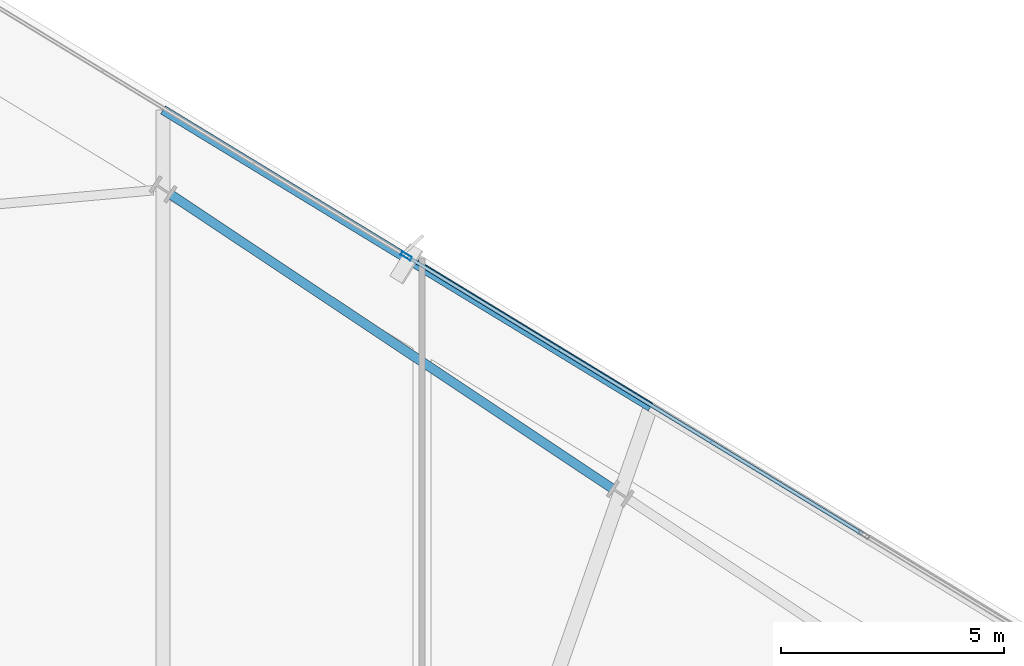
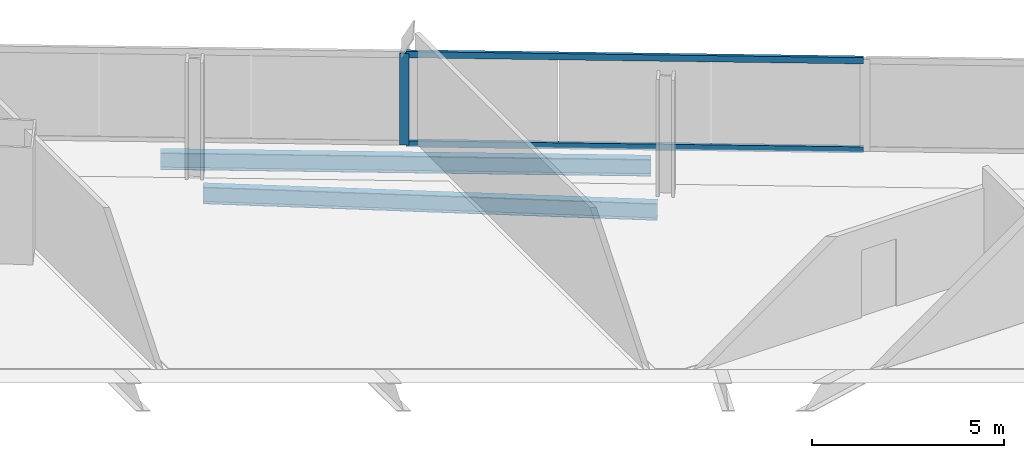
# One storey, part 19 of 28: 3 members, 2 beams, 1 element without a shape of its own.
"""IFC4 building model written with IfcOpenShell, lengths in metres."""

from ifc_helpers import new_model, si_unit, direction, frame, origin, origin_2d, place, context, subcontext, project, spatial, hollow_rectangle, i_section, extrude, material, material_profile, profile_set, type_object, element, aggregate, save


model = new_model("IFC4")

# Units and contexts
model_context = context("Model", 3, precision=1e-05, world=origin(), true_north=direction((0.0, 1.0)))
body_context = subcontext(model_context, "Body", "Model", "MODEL_VIEW")
ifc_project = project(units=[si_unit("LENGTHUNIT", "METRE"), si_unit("AREAUNIT", "SQUARE_METRE"), si_unit("VOLUMEUNIT", "CUBIC_METRE"), si_unit("PLANEANGLEUNIT", "RADIAN"), si_unit("MASSUNIT", "GRAM", prefix="KILO")], contexts=[model_context])

# Site, building, storey
site_placement = place(None, origin())
site = spatial("IfcSite", under=ifc_project, at=site_placement, CompositionType="ELEMENT")
building_placement = place(site_placement, origin())
building = spatial("IfcBuilding", under=site, at=building_placement, Name="Haldenkirk Collegiate Tower", CompositionType="ELEMENT")
storey_placement = place(building_placement, frame((0.0, 0.0, 224.699951171875)))
storey = spatial("IfcBuildingStorey", under=building, at=storey_placement, Name="L56", CompositionType="ELEMENT", Elevation=224.699951171875)

# Beams
ifc_material_1 = material(Name="Steel ASTM A992 Grade 50", Category="steel")
ifc_material_profile_1 = material_profile(ifc_material_1, i_section(OverallWidth=0.2099609375, OverallDepth=0.537109375, WebThickness=0.010986328125, FlangeThickness=0.017333984375, at=origin_2d()), Name="W21X68")
ifc_profile_set_1 = profile_set([ifc_material_profile_1], Name="Steel ASTM A992 Grade 50")
beam_type = type_object("IfcBeamType", Name="BM-SPANDREL-W21X68", PredefinedType="SPANDREL", material=ifc_profile_set_1)
beam_1_placement = place(storey_placement, frame((48.266845703125, 43.96240234375, -0.54833984375), z_axis=(-0.832429330124, 0.554131221237, 0.0), x_axis=(-0.554131221237, -0.832429330124, 0.0)))
element("IfcBeam", 1, at=beam_1_placement, inside=storey, type_object=beam_type, Name="L56 perimeter spandrel beam 07", PredefinedType="SPANDREL", context=body_context, shape_type="SweptSolid", body=[
    extrude(i_section(OverallWidth=0.2099609375, OverallDepth=0.537109375, WebThickness=0.010986328125, FlangeThickness=0.017333984375, at=origin_2d()), origin(), (0.0, 0.0, 1.0), 11.88525390625),
])
beam_2_placement = place(storey_placement, frame((49.129150390625, 45.788330078125, -0.54833984375), z_axis=(-0.854004855572, 0.520265035016, 0.0), x_axis=(-0.520265035016, -0.854004855572, 0.0)))
element("IfcBeam", 2, at=beam_2_placement, inside=storey, type_object=beam_type, Name="L56 outer facade edge beam 2B", PredefinedType="SPANDREL", context=body_context, shape_type="SweptSolid", body=[
    extrude(i_section(OverallWidth=0.2099609375, OverallDepth=0.537109375, WebThickness=0.010986328125, FlangeThickness=0.017333984375, at=origin_2d()), origin(), (0.0, 0.0, 1.0), 12.80615234375),
])

# Curtain wall, members
ifc_material_2 = material(Name="Anodised architectural bronze aluminium", Category="aluminium")
curtain_wall_type = type_object("IfcCurtainWallType", Name="CW-SYS1B-CONVEX-HI", PredefinedType="USERDEFINED", material=ifc_material_2)
curtain_wall_placement = place(storey_placement, origin())
curtain_wall = element("IfcCurtainWall", 3, at=curtain_wall_placement, inside=storey, type_object=curtain_wall_type, Name="L56 Upper tower high-wind convex bronze unitised curtain wall", ObjectType="UNITISED CURTAIN WALL", PredefinedType="USERDEFINED")
ifc_material_profile_2 = material_profile(ifc_material_2, hollow_rectangle(XDim=0.0849609375, YDim=0.25, WallThickness=0.0048828125, at=origin_2d()), Name="CW-MUL-1B")
ifc_profile_set_2 = profile_set([ifc_material_profile_2], Name="Anodised architectural bronze aluminium")
member_type_1 = type_object("IfcMemberType", Name="CW-MUL-1B", PredefinedType="MULLION", material=ifc_profile_set_2)
member_1_placement = place(storey_placement, frame((43.6484375, 49.17431640625, 0.0), z_axis=(0.0, 0.0, 1.0), x_axis=(0.520264898994, 0.854004938437, 0.0)))
member_1 = element("IfcMember", 4, at=member_1_placement, type_object=member_type_1, Name="CW-1B mullion 2", PredefinedType="MULLION", context=body_context, shape_type="SweptSolid", body=[
    extrude(hollow_rectangle(XDim=0.0849609375, YDim=0.25, WallThickness=0.0048828125, at=origin_2d()), origin(), (0.0, 0.0, 1.0), 2.927978515625),
])
ifc_material_profile_3 = material_profile(ifc_material_2, hollow_rectangle(XDim=0.0849609375, YDim=0.199951171875, WallThickness=0.0048828125, at=origin_2d()), Name="CW-TRN-1B")
ifc_profile_set_3 = profile_set([ifc_material_profile_3], Name="Anodised architectural bronze aluminium")
member_type_2 = type_object("IfcMemberType", Name="CW-TRN-1B", PredefinedType="USERDEFINED", material=ifc_profile_set_3)
member_2_placement = place(storey_placement, frame((43.6845703125, 49.152099609375, 0.04248046875), z_axis=(0.854011346444, -0.520254380227, 0.0), x_axis=(0.520254380227, 0.854011346444, 0.0)))
member_2 = element("IfcMember", 5, at=member_2_placement, type_object=member_type_2, Name="CW-1B transom 2.1", ObjectType="TRANSOM", PredefinedType="USERDEFINED", context=body_context, shape_type="SweptSolid", body=[
    extrude(hollow_rectangle(XDim=0.0849609375, YDim=0.199951171875, WallThickness=0.0048828125, at=origin_2d()), origin(), (0.0, 0.0, 1.0), 11.940185546875),
])
member_3_placement = place(storey_placement, frame((43.6845703125, 49.152099609375, 2.885498046875), z_axis=(0.854011346444, -0.520254380227, 0.0), x_axis=(0.520254380227, 0.854011346444, 0.0)))
member_3 = element("IfcMember", 6, at=member_3_placement, type_object=member_type_2, Name="CW-1B transom 2.2", ObjectType="TRANSOM", PredefinedType="USERDEFINED", context=body_context, shape_type="SweptSolid", body=[
    extrude(hollow_rectangle(XDim=0.0849609375, YDim=0.199951171875, WallThickness=0.0048828125, at=origin_2d()), origin(), (0.0, 0.0, 1.0), 11.940185546875),
])
aggregate(curtain_wall, [member_1, member_2, member_3])

save(model, "model.ifc")
